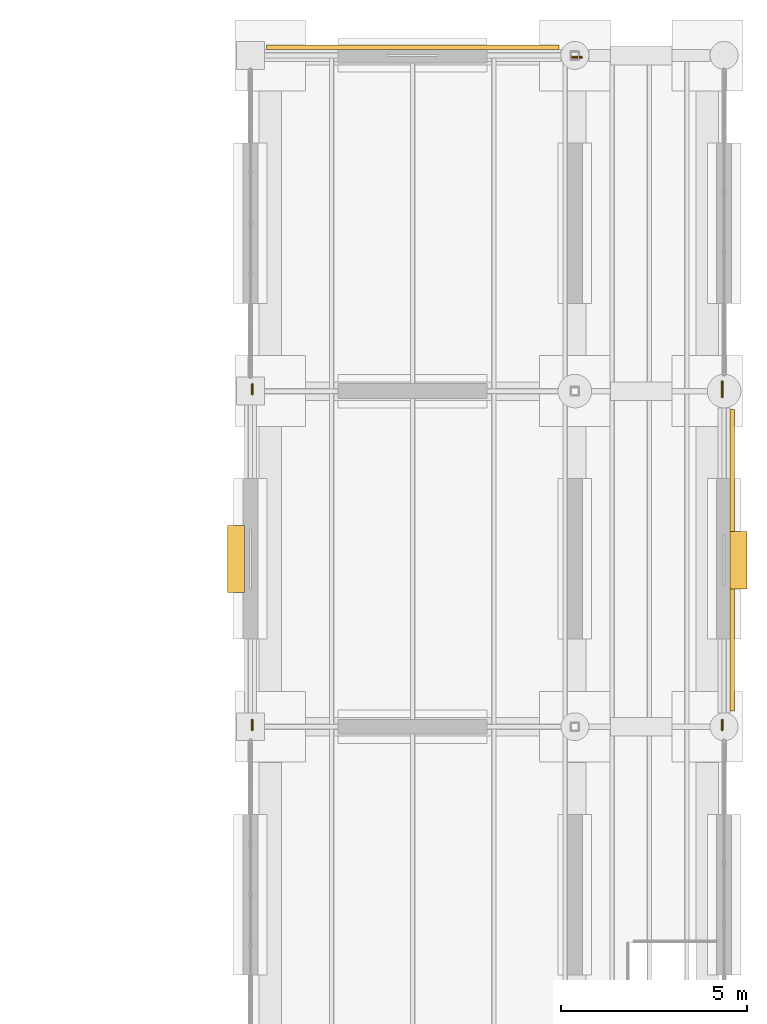
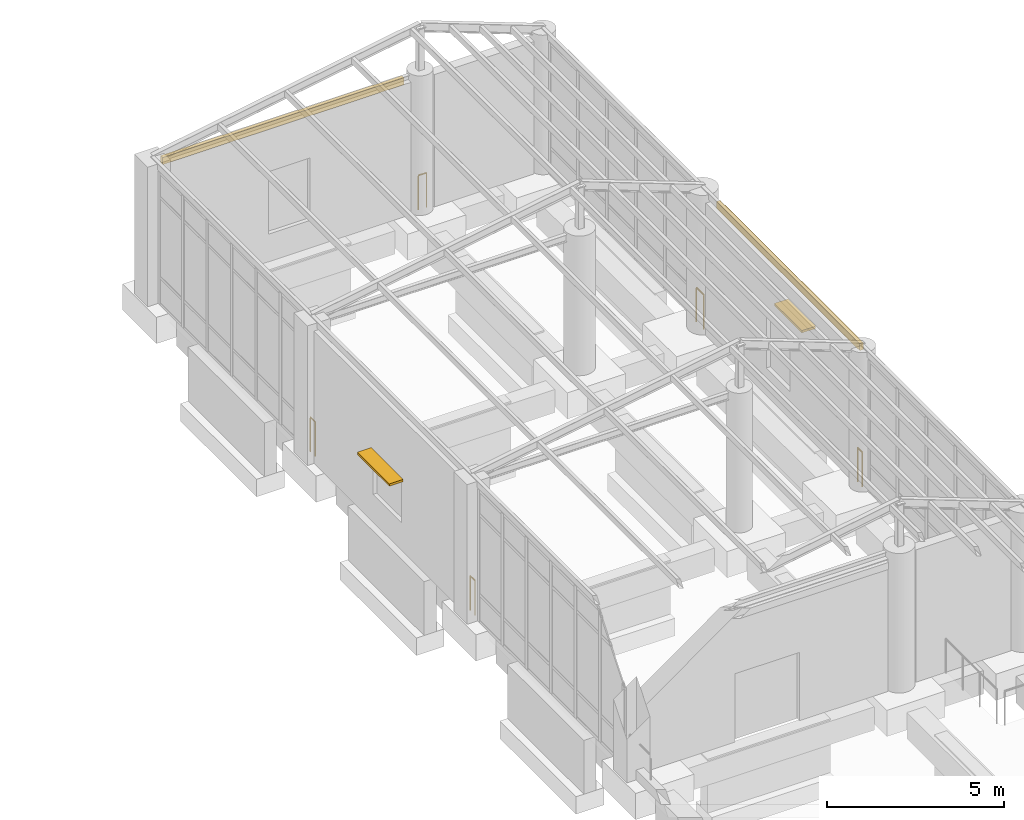
# One storey, part 110 of 111: 5 railings, 2 coverings, 2 shading devices.
"""IFC4 building model written with IfcOpenShell, lengths in metres."""

from ifc_helpers import new_model, si_unit, direction, frame, origin, origin_2d, place, context, subcontext, project, spatial, rectangle, circle, extrude, material, layer, layer_set, type_object, element, save


model = new_model("IFC4")

# Units and contexts
model_context = context("Model", 3, precision=1e-05, world=origin(), true_north=direction((0.0, 1.0)))
body_context = subcontext(model_context, "Body", "Model", "MODEL_VIEW")
ifc_project = project(units=[si_unit("LENGTHUNIT", "METRE"), si_unit("AREAUNIT", "SQUARE_METRE"), si_unit("VOLUMEUNIT", "CUBIC_METRE"), si_unit("PLANEANGLEUNIT", "RADIAN"), si_unit("MASSUNIT", "GRAM", prefix="KILO")], contexts=[model_context])

# Site, building, storey
site_placement = place(None, origin())
site = spatial("IfcSite", under=ifc_project, at=site_placement, CompositionType="ELEMENT")
building_placement = place(site_placement, origin())
building = spatial("IfcBuilding", under=site, at=building_placement, Name="Canglan Escarpment Cableway Terminal", CompositionType="ELEMENT")
storey_placement = place(building_placement, frame((0.0, 0.0, 4.800048828125)))
storey = spatial("IfcBuildingStorey", under=building, at=storey_placement, Name="L01", CompositionType="ELEMENT", Elevation=4.800048828125)

# Coverings
ifc_material_1 = material(Name="Carved classical limestone cornice", Category="masonry")
ifc_layer_1 = layer(ifc_material_1, 0.1201171875, Name="Carved classical limestone cornice")
ifc_layer_set_1 = layer_set([ifc_layer_1], Name="Carved classical limestone cornice")
covering_type = type_object("IfcCoveringType", Name="COV-CORNICE-STONE", PredefinedType="CLADDING", material=ifc_layer_set_1)
covering_1_placement = place(storey_placement, frame((180.219970703125, 110.46240234375, 4.2900390625), z_axis=(0.0, 0.0, 1.0), x_axis=(0.0, 1.0, 0.0)))
element("IfcCovering", 1, at=covering_1_placement, inside=storey, type_object=covering_type, Name="Classical carved limestone cornice CL-01", PredefinedType="CLADDING", context=body_context, shape_type="SweptSolid", body=[
    extrude(rectangle(XDim=8.074951171875, YDim=0.1201171875, at=origin_2d()), origin(), (0.0, 0.0, 1.0), 0.239990234375),
])
covering_2_placement = place(storey_placement, frame((171.64990234375, 124.219970703125, 4.2900390625), z_axis=(0.0, 0.0, 1.0), x_axis=(-1.0, 0.0, 0.0)))
element("IfcCovering", 2, at=covering_2_placement, inside=storey, type_object=covering_type, Name="Classical carved limestone cornice CL-01", PredefinedType="CLADDING", context=body_context, shape_type="SweptSolid", body=[
    extrude(rectangle(XDim=7.85009765625, YDim=0.1201171875, at=origin_2d()), origin(), (0.0, 0.0, 1.0), 0.239990234375),
])

# Railings
ifc_material_2 = material(Name="Carved limestone and anodized bronze balustrade", Category="masonry")
railing_type = type_object("IfcRailingType", Name="RL-EXT-BALUSTRADE-1200", PredefinedType="BALUSTRADE", material=ifc_material_2)
for number, where, name in (
    (3, (167.35009765625, 105.9150390625, 0.0), "Classical terrace balustrade guard GD-01 (L01)"),
    (4, (167.35009765625, 114.9150390625, 0.0), "Classical terrace balustrade guard GD-01 (L01)"),
):
    element("IfcRailing", number, at=place(storey_placement, frame(where)), inside=storey, type_object=railing_type, Name=name, PredefinedType="BALUSTRADE", context=body_context, shape_type="SweptSolid", body=[
        extrude(circle(Radius=0.02392578125, at=origin_2d()), frame((0.0, 0.0, 1.17578125), z_axis=(0.0, 1.0, 0.0), x_axis=(-1.0, 0.0, 0.0)), (0.0, 0.0, 1.0), 0.27001953125),
        extrude(circle(Radius=0.02099609375, at=origin_2d()), origin(), (0.0, 0.0, 1.0), 1.15185546875),
        extrude(circle(Radius=0.02099609375, at=origin_2d()), frame((0.0, 0.27001953125, 0.0)), (0.0, 0.0, 1.0), 1.15185546875),
    ])
railing_1_placement = place(storey_placement, frame((175.9150390625, 123.949951171875, 0.0)))
element("IfcRailing", 5, at=railing_1_placement, inside=storey, type_object=railing_type, Name="Classical terrace balustrade guard GD-01 (L01)", PredefinedType="BALUSTRADE", context=body_context, shape_type="SweptSolid", body=[
    extrude(circle(Radius=0.02392578125, at=origin_2d()), frame((0.0, 0.0, 1.17578125), z_axis=(1.0, 0.0, 0.0), x_axis=(0.0, 1.0, 0.0)), (0.0, 0.0, 1.0), 0.27001953125),
    extrude(circle(Radius=0.02099609375, at=origin_2d()), origin(), (0.0, 0.0, 1.0), 1.15185546875),
    extrude(circle(Radius=0.02099609375, at=origin_2d()), frame((0.27001953125, 0.0, 0.0)), (0.0, 0.0, 1.0), 1.15185546875),
])
railing_2_placement = place(storey_placement, frame((179.949951171875, 115.260009765625, 0.0)))
element("IfcRailing", 6, at=railing_2_placement, inside=storey, type_object=railing_type, Name="Classical terrace balustrade guard GD-01 (L01)", PredefinedType="BALUSTRADE", context=body_context, shape_type="SweptSolid", body=[
    extrude(circle(Radius=0.02392578125, at=origin_2d()), frame((0.0, 0.0, 1.17578125), z_axis=(0.0, -1.0, 0.0), x_axis=(1.0, 0.0, 0.0)), (0.0, 0.0, 1.0), 0.419921875),
    extrude(circle(Radius=0.02099609375, at=origin_2d()), origin(), (0.0, 0.0, 1.0), 1.15185546875),
    extrude(circle(Radius=0.02099609375, at=origin_2d()), frame((0.0, -0.419921875, 0.0)), (0.0, 0.0, 1.0), 1.15185546875),
])
railing_3_placement = place(storey_placement, frame((179.949951171875, 106.18505859375, 0.0)))
element("IfcRailing", 7, at=railing_3_placement, inside=storey, type_object=railing_type, Name="Classical terrace balustrade guard GD-01 (L01)", PredefinedType="BALUSTRADE", context=body_context, shape_type="SweptSolid", body=[
    extrude(circle(Radius=0.02392578125, at=origin_2d()), frame((0.0, 0.0, 1.17578125), z_axis=(0.0, -1.0, 0.0), x_axis=(1.0, 0.0, 0.0)), (0.0, 0.0, 1.0), 0.27001953125),
    extrude(circle(Radius=0.02099609375, at=origin_2d()), origin(), (0.0, 0.0, 1.0), 1.15185546875),
    extrude(circle(Radius=0.02099609375, at=origin_2d()), frame((0.0, -0.27001953125, 0.0)), (0.0, 0.0, 1.0), 1.15185546875),
])

# Shading devices
ifc_material_3 = material(Name="Anodized architectural bronze aluminium", Category="aluminium")
ifc_layer_2 = layer(ifc_material_3, 0.080078125, Name="Anodized architectural bronze aluminium")
ifc_layer_set_2 = layer_set([ifc_layer_2], Name="Anodized architectural bronze aluminium")
shading_device_type_1 = type_object("IfcShadingDeviceType", Name="SHD-BRONZE-LOUVRE-01", PredefinedType="JALOUSIE", material=ifc_layer_set_2)
shading_device_1_placement = place(storey_placement, frame((180.385009765625, 110.46240234375, 2.919921875), z_axis=(0.0, 0.0, 1.0), x_axis=(0.0, 1.0, 0.0)))
element("IfcShadingDevice", 8, at=shading_device_1_placement, inside=storey, type_object=shading_device_type_1, Name="Anodized bronze sun-shading brise-soleil SD-01", PredefinedType="JALOUSIE", context=body_context, shape_type="SweptSolid", body=[
    extrude(rectangle(XDim=1.550048828125, YDim=0.449951171875, at=origin_2d()), origin(), (0.0, 0.0, 1.0), 0.080078125),
])
ifc_layer_3 = layer(ifc_material_3, 0.10009765625, Name="Anodized architectural bronze aluminium")
ifc_layer_set_3 = layer_set([ifc_layer_3], Name="Anodized architectural bronze aluminium")
shading_device_type_2 = type_object("IfcShadingDeviceType", Name="SHD-BRONZE-LOUVRE-02", PredefinedType="JALOUSIE", material=ifc_layer_set_3)
shading_device_2_placement = place(storey_placement, frame((166.9150390625, 110.5, 2.419921875), z_axis=(0.0, 0.0, 1.0), x_axis=(0.0, -1.0, 0.0)))
element("IfcShadingDevice", 9, at=shading_device_2_placement, inside=storey, type_object=shading_device_type_2, Name="Anodized bronze sun-shading brise-soleil SD-01", PredefinedType="JALOUSIE", context=body_context, shape_type="SweptSolid", body=[
    extrude(rectangle(XDim=1.800048828125, YDim=0.449951171875, at=origin_2d()), origin(), (0.0, 0.0, 1.0), 0.080078125),
])

save(model, "model.ifc")
